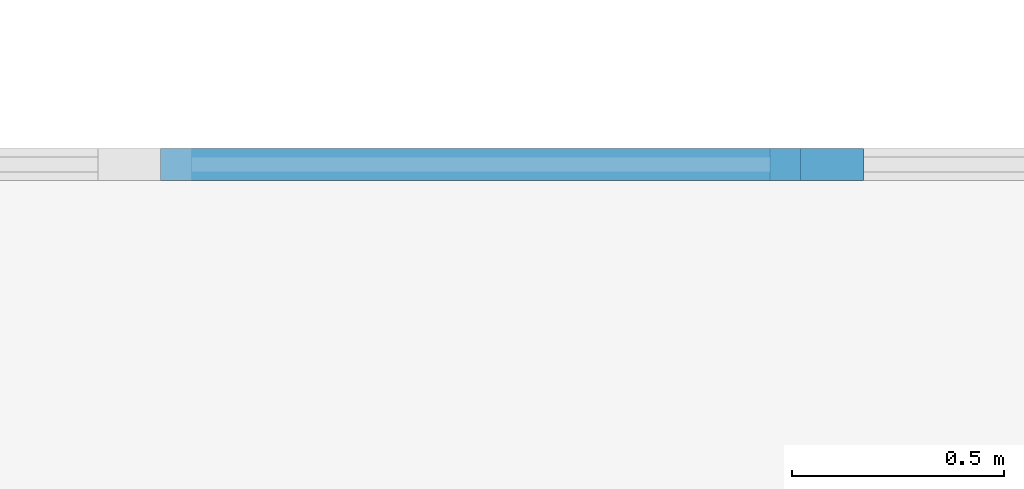
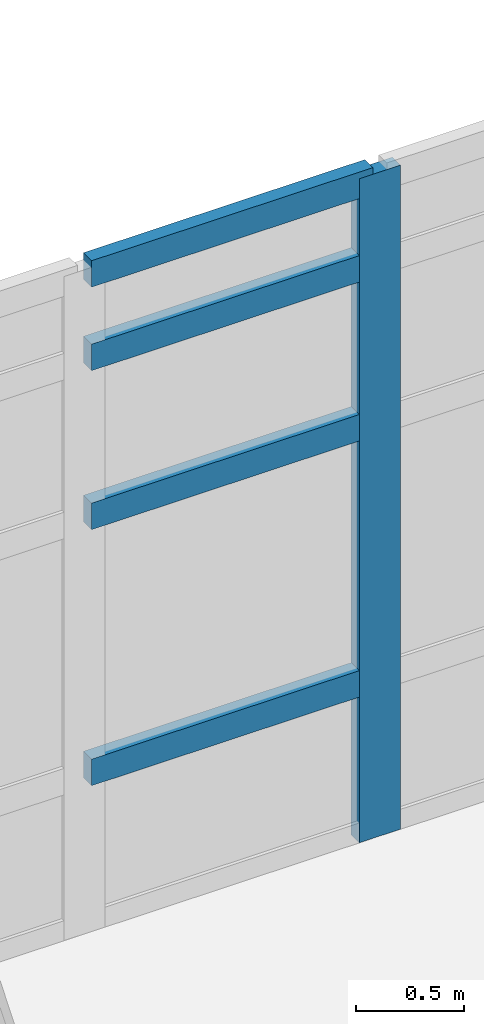
# One storey, part 58 of 122: 5 members, 1 element without a shape of its own.
"""IFC4 building model written with IfcOpenShell, lengths in metres."""

from ifc_helpers import new_model, si_unit, direction, frame, origin, origin_2d, place, context, subcontext, project, spatial, rectangle, extrude, material, layer, layer_set, material_profile, profile_set, type_object, element, aggregate, save


model = new_model("IFC4")

# Units and contexts
model_context = context("Model", 3, precision=1e-05, world=origin(), true_north=direction((0.0, 1.0)))
body_context = subcontext(model_context, "Body", "Model", "MODEL_VIEW")
ifc_project = project(units=[si_unit("LENGTHUNIT", "METRE"), si_unit("AREAUNIT", "SQUARE_METRE"), si_unit("VOLUMEUNIT", "CUBIC_METRE"), si_unit("PLANEANGLEUNIT", "RADIAN"), si_unit("MASSUNIT", "GRAM", prefix="KILO"), si_unit("THERMODYNAMICTEMPERATUREUNIT", "KELVIN"), si_unit("POWERUNIT", "WATT")], contexts=[model_context])

# Site, building, storey
site_placement = place(None, origin())
site = spatial("IfcSite", under=ifc_project, at=site_placement, CompositionType="ELEMENT")
building_placement = place(site_placement, origin())
building = spatial("IfcBuilding", under=site, at=building_placement, Name="Korenveer Ferry Terminal", CompositionType="ELEMENT")
storey_placement = place(building_placement, frame((0.0, 0.0, 10.199951171875)))
storey = spatial("IfcBuildingStorey", under=building, at=storey_placement, Name="L02", CompositionType="ELEMENT", Elevation=10.199951171875)

# Curtain wall, members
ifc_material_1 = material(Name="Unitised bronze-and-glass curtain wall", Category="glass")
ifc_layer = layer(ifc_material_1, 0.219970703125)
ifc_layer_set = layer_set([ifc_layer], Name="Unitised bronze-and-glass curtain wall")
curtain_wall_type = type_object("IfcCurtainWallType", Name="ENV-CW-103", PredefinedType="USERDEFINED", material=ifc_layer_set)
curtain_wall_placement = place(storey_placement, frame((123.179931640625, 116.0, 0.0)))
curtain_wall = element("IfcCurtainWall", 1, at=curtain_wall_placement, inside=storey, type_object=curtain_wall_type, Name="Lancet curtain wall CWX-L02-X123-136-Y116-116", ObjectType="UNITISED CURTAIN WALL", PredefinedType="USERDEFINED")
ifc_material_2 = material(Name="Anodised bronze aluminium", Category="aluminium")
ifc_material_profile_1 = material_profile(ifc_material_2, rectangle(XDim=0.074951171875, YDim=0.219970703125, at=origin_2d()), Name="ALU 75x220")
ifc_profile_set_1 = profile_set([ifc_material_profile_1], Name="Anodised bronze aluminium")
member_type_1 = type_object("IfcMemberType", Name="ENV-CWM-75X220", PredefinedType="MULLION", material=ifc_profile_set_1)
member_1_placement = place(storey_placement, frame((126.34326171875, 116.0, 0.0), z_axis=(0.0, 0.0, 1.0), x_axis=(0.0, 1.0, 0.0)))
member_1 = element("IfcMember", 2, at=member_1_placement, type_object=member_type_1, Name="CW-103 mullion 3", PredefinedType="MULLION", context=body_context, shape_type="SweptSolid", body=[
    extrude(rectangle(XDim=0.074951171875, YDim=0.219970703125, at=origin_2d()), origin(), (0.0, 0.0, 1.0), 3.760009765625),
])
ifc_material_profile_2 = material_profile(ifc_material_2, rectangle(XDim=0.074951171875, YDim=0.14990234375, at=origin_2d()), Name="ALU 75x150")
ifc_profile_set_2 = profile_set([ifc_material_profile_2], Name="Anodised bronze aluminium")
member_type_2 = type_object("IfcMemberType", Name="ENV-CWT-75X150", PredefinedType="USERDEFINED", material=ifc_profile_set_2)
member_2_placement = place(storey_placement, frame((124.799072265625, 116.0, 0.900146484375), z_axis=(1.0, 0.0, 0.0), x_axis=(0.0, 1.0, 0.0)))
member_2 = element("IfcMember", 3, at=member_2_placement, type_object=member_type_2, Name="CW-103 transom 2.2", ObjectType="TRANSOM", PredefinedType="USERDEFINED", context=body_context, shape_type="SweptSolid", body=[
    extrude(rectangle(XDim=0.074951171875, YDim=0.14990234375, at=origin_2d()), origin(), (0.0, 0.0, 1.0), 1.5068359375),
])
member_3_placement = place(storey_placement, frame((124.799072265625, 116.0, 2.35009765625), z_axis=(1.0, 0.0, 0.0), x_axis=(0.0, 1.0, 0.0)))
member_3 = element("IfcMember", 4, at=member_3_placement, type_object=member_type_2, Name="CW-103 transom 2.3", ObjectType="TRANSOM", PredefinedType="USERDEFINED", context=body_context, shape_type="SweptSolid", body=[
    extrude(rectangle(XDim=0.074951171875, YDim=0.14990234375, at=origin_2d()), origin(), (0.0, 0.0, 1.0), 1.5068359375),
])
member_4_placement = place(storey_placement, frame((124.799072265625, 116.0, 3.25), z_axis=(1.0, 0.0, 0.0), x_axis=(0.0, 1.0, 0.0)))
member_4 = element("IfcMember", 5, at=member_4_placement, type_object=member_type_2, Name="CW-103 transom 2.4", ObjectType="TRANSOM", PredefinedType="USERDEFINED", context=body_context, shape_type="SweptSolid", body=[
    extrude(rectangle(XDim=0.074951171875, YDim=0.14990234375, at=origin_2d()), origin(), (0.0, 0.0, 1.0), 1.5068359375),
])
member_5_placement = place(storey_placement, frame((124.799072265625, 116.0, 3.72265625), z_axis=(1.0, 0.0, 0.0), x_axis=(0.0, 1.0, 0.0)))
member_5 = element("IfcMember", 6, at=member_5_placement, type_object=member_type_2, Name="CW-103 transom 2.5", ObjectType="TRANSOM", PredefinedType="USERDEFINED", context=body_context, shape_type="SweptSolid", body=[
    extrude(rectangle(XDim=0.074951171875, YDim=0.14990234375, at=origin_2d()), origin(), (0.0, 0.0, 1.0), 1.5068359375),
])
aggregate(curtain_wall, [member_1, member_2, member_3, member_4, member_5])

save(model, "model.ifc")
